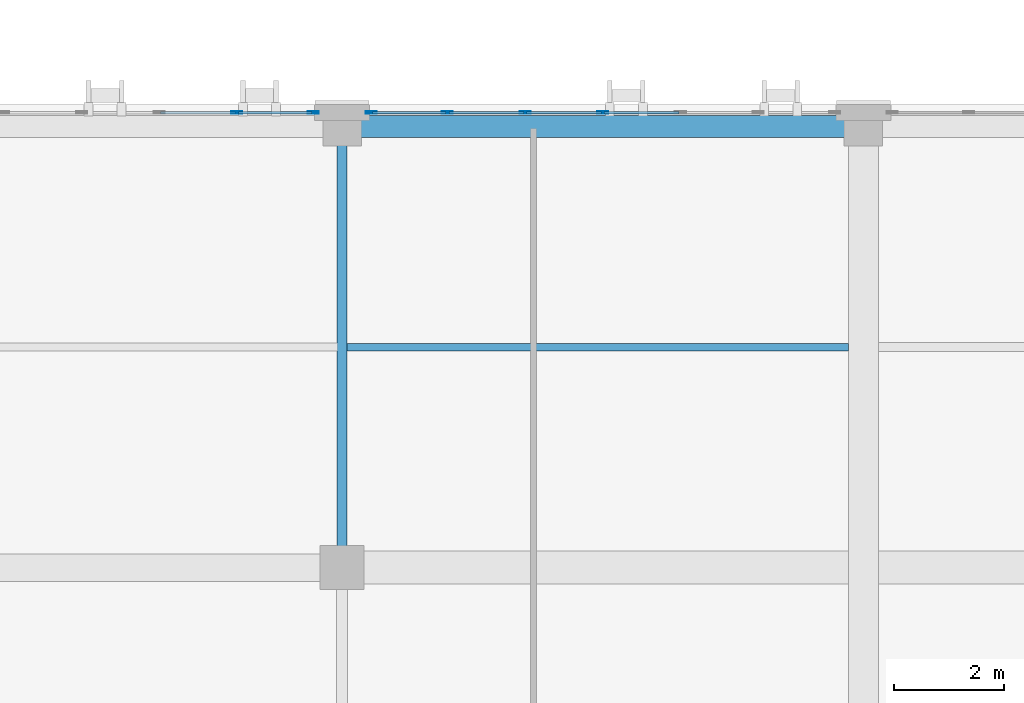
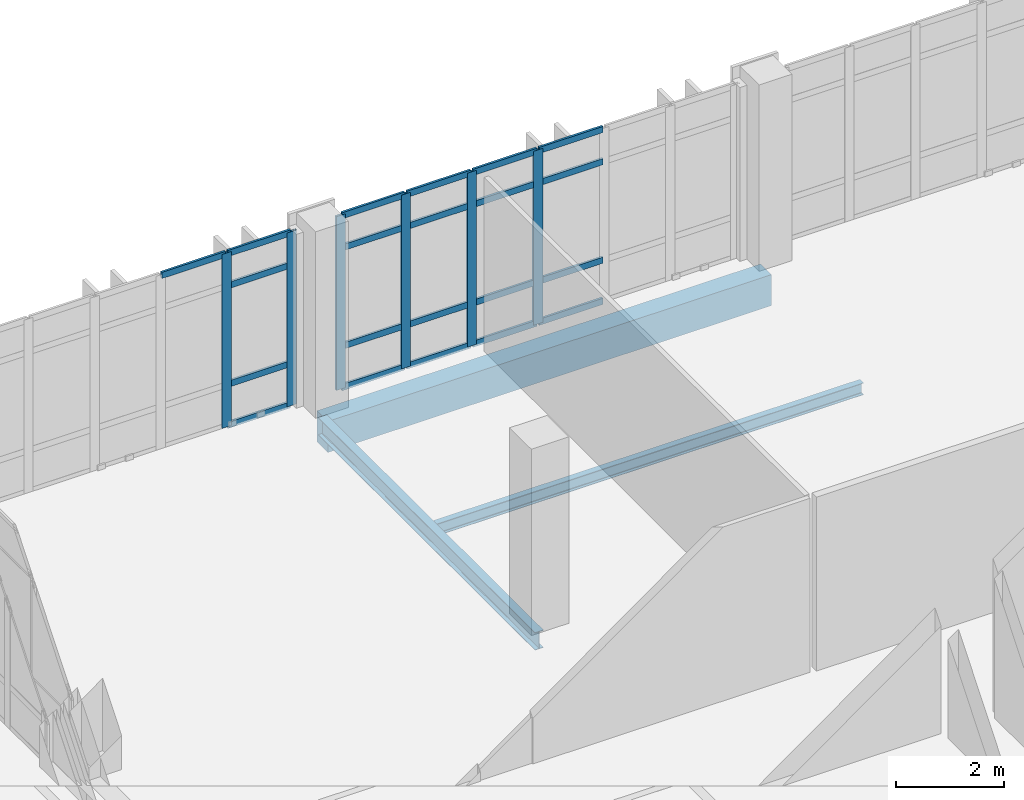
# One storey, part 16 of 165: 27 members, 3 beams, 2 elements without a shape of their own.
"""IFC4 building model written with IfcOpenShell, lengths in metres."""

from ifc_helpers import new_model, si_unit, direction, frame, origin, origin_2d, place, context, subcontext, project, spatial, rectangle, hollow_rectangle, i_section, extrude, material, layer, layer_set, material_profile, profile_set, type_object, element, aggregate, save


model = new_model("IFC4")

# Units and contexts
model_context = context("Model", 3, precision=1e-05, world=origin(), true_north=direction((0.0, 1.0)))
body_context = subcontext(model_context, "Body", "Model", "MODEL_VIEW")
ifc_project = project(units=[si_unit("LENGTHUNIT", "METRE"), si_unit("AREAUNIT", "SQUARE_METRE"), si_unit("VOLUMEUNIT", "CUBIC_METRE"), si_unit("PLANEANGLEUNIT", "RADIAN"), si_unit("MASSUNIT", "GRAM", prefix="KILO")], contexts=[model_context])

# Site, building, storey
site_placement = place(None, origin())
site = spatial("IfcSite", under=ifc_project, at=site_placement, CompositionType="ELEMENT")
building_placement = place(site_placement, origin())
building = spatial("IfcBuilding", under=site, at=building_placement, Name="Qalavern Law Courts", CompositionType="ELEMENT")
storey_placement = place(building_placement, frame((0.0, 0.0, 14.39990234375)))
storey = spatial("IfcBuildingStorey", under=building, at=storey_placement, Name="L03", CompositionType="ELEMENT", Elevation=14.39990234375)

# Curtain wall, members
ifc_material_1 = material(Name="Anodised aluminium and insulated glazing", Category="aluminium")
ifc_layer = layer(ifc_material_1, 0.18505859375)
ifc_layer_set = layer_set([ifc_layer], Name="Anodised aluminium and insulated glazing")
curtain_wall_type = type_object("IfcCurtainWallType", Name="ENV-CW-HALL", PredefinedType="USERDEFINED", material=ifc_layer_set)
curtain_wall_1_placement = place(storey_placement, origin())
curtain_wall_1 = element("IfcCurtainWall", 1, at=curtain_wall_1_placement, inside=storey, type_object=curtain_wall_type, Name="V2 unitised curtain wall L03 north 5", ObjectType="UNITISED CURTAIN WALL", PredefinedType="USERDEFINED")
ifc_material_2 = material(Name="Anodised aluminium", Category="aluminium")
ifc_material_profile_1 = material_profile(ifc_material_2, hollow_rectangle(XDim=0.048095703125, YDim=0.199951171875, WallThickness=0.00439453125, at=origin_2d()), Name="ALU MULLION 48x200")
ifc_profile_set_1 = profile_set([ifc_material_profile_1], Name="Anodised aluminium")
member_type_1 = type_object("IfcMemberType", Name="ENV-CWM-48x200", PredefinedType="MULLION", material=ifc_profile_set_1)
member_1_placement = place(storey_placement, frame((48.801513671875, 30.25244140625, 0.0), z_axis=(0.0, 0.0, 1.0), x_axis=(0.0, -1.0, 0.0)))
member_1 = element("IfcMember", 2, at=member_1_placement, type_object=member_type_1, Name="CW-02 mullion 4", PredefinedType="MULLION", context=body_context, shape_type="SweptSolid", body=[
    extrude(hollow_rectangle(XDim=0.048095703125, YDim=0.199951171875, WallThickness=0.00439453125, at=origin_2d()), origin(), (0.0, 0.0, 1.0), 3.920166015625),
])
member_2_placement = place(storey_placement, frame((47.392333984375, 30.25244140625, 0.0), z_axis=(0.0, 0.0, 1.0), x_axis=(0.0, -1.0, 0.0)))
member_2 = element("IfcMember", 3, at=member_2_placement, type_object=member_type_1, Name="CW-02 mullion 5", PredefinedType="MULLION", context=body_context, shape_type="SweptSolid", body=[
    extrude(hollow_rectangle(XDim=0.048095703125, YDim=0.199951171875, WallThickness=0.00439453125, at=origin_2d()), origin(), (0.0, 0.0, 1.0), 3.920166015625),
])
member_3_placement = place(storey_placement, frame((45.9833984375, 30.25244140625, 0.0), z_axis=(0.0, 0.0, 1.0), x_axis=(0.0, -1.0, 0.0)))
member_3 = element("IfcMember", 4, at=member_3_placement, type_object=member_type_1, Name="CW-02 mullion 6", PredefinedType="MULLION", context=body_context, shape_type="SweptSolid", body=[
    extrude(hollow_rectangle(XDim=0.048095703125, YDim=0.199951171875, WallThickness=0.00439453125, at=origin_2d()), origin(), (0.0, 0.0, 1.0), 3.920166015625),
])
member_4_placement = place(storey_placement, frame((44.598388671875, 30.25244140625, 0.0), z_axis=(0.0, 0.0, 1.0), x_axis=(0.0, -1.0, 0.0)))
member_4 = element("IfcMember", 5, at=member_4_placement, type_object=member_type_1, Name="CW-02 mullion 7", PredefinedType="MULLION", context=body_context, shape_type="SweptSolid", body=[
    extrude(hollow_rectangle(XDim=0.048095703125, YDim=0.199951171875, WallThickness=0.00439453125, at=origin_2d()), origin(), (0.0, 0.0, 1.0), 3.920166015625),
])

curtain_wall_2_placement = place(storey_placement, origin())
curtain_wall_2 = element("IfcCurtainWall", 6, at=curtain_wall_2_placement, inside=storey, type_object=curtain_wall_type, Name="V2 unitised curtain wall L03 north 6", ObjectType="UNITISED CURTAIN WALL", PredefinedType="USERDEFINED")
member_5_placement = place(storey_placement, frame((43.55029296875, 30.25244140625, 0.0), z_axis=(0.0, 0.0, 1.0), x_axis=(0.0, -1.0, 0.0)))
member_5 = element("IfcMember", 7, at=member_5_placement, type_object=member_type_1, Name="CW-02 mullion 1", PredefinedType="MULLION", context=body_context, shape_type="SweptSolid", body=[
    extrude(hollow_rectangle(XDim=0.048095703125, YDim=0.199951171875, WallThickness=0.00439453125, at=origin_2d()), origin(), (0.0, 0.0, 1.0), 3.920166015625),
])
member_6_placement = place(storey_placement, frame((42.165283203125, 30.25244140625, 0.0), z_axis=(0.0, 0.0, 1.0), x_axis=(0.0, -1.0, 0.0)))
member_6 = element("IfcMember", 8, at=member_6_placement, type_object=member_type_1, Name="CW-02 mullion 2", PredefinedType="MULLION", context=body_context, shape_type="SweptSolid", body=[
    extrude(hollow_rectangle(XDim=0.048095703125, YDim=0.199951171875, WallThickness=0.00439453125, at=origin_2d()), origin(), (0.0, 0.0, 1.0), 3.920166015625),
])

# Member
ifc_material_profile_2 = material_profile(ifc_material_2, hollow_rectangle(XDim=0.048095703125, YDim=0.139892578125, WallThickness=0.00390625, at=origin_2d()), Name="ALU TRANSOM 48x140")
ifc_profile_set_2 = profile_set([ifc_material_profile_2], Name="Anodised aluminium")
member_type_2 = type_object("IfcMemberType", Name="ENV-CWT-48x140", PredefinedType="USERDEFINED", material=ifc_profile_set_2)
member_7_placement = place(storey_placement, frame((50.1865234375, 30.25244140625, 0.024169921875), z_axis=(-1.0, 0.0, 0.0), x_axis=(0.0, -1.0, 0.0)))
member_7 = element("IfcMember", 9, at=member_7_placement, type_object=member_type_2, Name="CW-02 transom 3.1", ObjectType="TRANSOM", PredefinedType="USERDEFINED", context=body_context, shape_type="SweptSolid", body=[
    extrude(hollow_rectangle(XDim=0.048095703125, YDim=0.139892578125, WallThickness=0.00390625, at=origin_2d()), origin(), (0.0, 0.0, 1.0), 1.361083984375),
])

member_8_placement = place(storey_placement, frame((50.1865234375, 30.25244140625, 0.9501953125), z_axis=(-1.0, 0.0, 0.0), x_axis=(0.0, -1.0, 0.0)))
member_8 = element("IfcMember", 10, at=member_8_placement, type_object=member_type_2, Name="CW-02 transom 3.2", ObjectType="TRANSOM", PredefinedType="USERDEFINED", context=body_context, shape_type="SweptSolid", body=[
    extrude(hollow_rectangle(XDim=0.048095703125, YDim=0.139892578125, WallThickness=0.00390625, at=origin_2d()), origin(), (0.0, 0.0, 1.0), 1.361083984375),
])

member_9_placement = place(storey_placement, frame((50.1865234375, 30.25244140625, 3.170166015625), z_axis=(-1.0, 0.0, 0.0), x_axis=(0.0, -1.0, 0.0)))
member_9 = element("IfcMember", 11, at=member_9_placement, type_object=member_type_2, Name="CW-02 transom 3.3", ObjectType="TRANSOM", PredefinedType="USERDEFINED", context=body_context, shape_type="SweptSolid", body=[
    extrude(hollow_rectangle(XDim=0.048095703125, YDim=0.139892578125, WallThickness=0.00390625, at=origin_2d()), origin(), (0.0, 0.0, 1.0), 1.361083984375),
])

member_10_placement = place(storey_placement, frame((50.1865234375, 30.25244140625, 3.89599609375), z_axis=(-1.0, 0.0, 0.0), x_axis=(0.0, -1.0, 0.0)))
member_10 = element("IfcMember", 12, at=member_10_placement, type_object=member_type_2, Name="CW-02 transom 3.4", ObjectType="TRANSOM", PredefinedType="USERDEFINED", context=body_context, shape_type="SweptSolid", body=[
    extrude(hollow_rectangle(XDim=0.048095703125, YDim=0.139892578125, WallThickness=0.00390625, at=origin_2d()), origin(), (0.0, 0.0, 1.0), 1.361083984375),
])

member_11_placement = place(storey_placement, frame((48.77734375, 30.25244140625, 0.024169921875), z_axis=(-1.0, 0.0, 0.0), x_axis=(0.0, -1.0, 0.0)))
member_11 = element("IfcMember", 13, at=member_11_placement, type_object=member_type_2, Name="CW-02 transom 4.1", ObjectType="TRANSOM", PredefinedType="USERDEFINED", context=body_context, shape_type="SweptSolid", body=[
    extrude(hollow_rectangle(XDim=0.048095703125, YDim=0.139892578125, WallThickness=0.00390625, at=origin_2d()), origin(), (0.0, 0.0, 1.0), 1.36083984375),
])

member_12_placement = place(storey_placement, frame((48.77734375, 30.25244140625, 0.9501953125), z_axis=(-1.0, 0.0, 0.0), x_axis=(0.0, -1.0, 0.0)))
member_12 = element("IfcMember", 14, at=member_12_placement, type_object=member_type_2, Name="CW-02 transom 4.2", ObjectType="TRANSOM", PredefinedType="USERDEFINED", context=body_context, shape_type="SweptSolid", body=[
    extrude(hollow_rectangle(XDim=0.048095703125, YDim=0.139892578125, WallThickness=0.00390625, at=origin_2d()), origin(), (0.0, 0.0, 1.0), 1.36083984375),
])

member_13_placement = place(storey_placement, frame((48.77734375, 30.25244140625, 3.170166015625), z_axis=(-1.0, 0.0, 0.0), x_axis=(0.0, -1.0, 0.0)))
member_13 = element("IfcMember", 15, at=member_13_placement, type_object=member_type_2, Name="CW-02 transom 4.3", ObjectType="TRANSOM", PredefinedType="USERDEFINED", context=body_context, shape_type="SweptSolid", body=[
    extrude(hollow_rectangle(XDim=0.048095703125, YDim=0.139892578125, WallThickness=0.00390625, at=origin_2d()), origin(), (0.0, 0.0, 1.0), 1.36083984375),
])

member_14_placement = place(storey_placement, frame((48.77734375, 30.25244140625, 3.89599609375), z_axis=(-1.0, 0.0, 0.0), x_axis=(0.0, -1.0, 0.0)))
member_14 = element("IfcMember", 16, at=member_14_placement, type_object=member_type_2, Name="CW-02 transom 4.4", ObjectType="TRANSOM", PredefinedType="USERDEFINED", context=body_context, shape_type="SweptSolid", body=[
    extrude(hollow_rectangle(XDim=0.048095703125, YDim=0.139892578125, WallThickness=0.00390625, at=origin_2d()), origin(), (0.0, 0.0, 1.0), 1.36083984375),
])

member_15_placement = place(storey_placement, frame((47.368408203125, 30.25244140625, 0.024169921875), z_axis=(-1.0, 0.0, 0.0), x_axis=(0.0, -1.0, 0.0)))
member_15 = element("IfcMember", 17, at=member_15_placement, type_object=member_type_2, Name="CW-02 transom 5.1", ObjectType="TRANSOM", PredefinedType="USERDEFINED", context=body_context, shape_type="SweptSolid", body=[
    extrude(hollow_rectangle(XDim=0.048095703125, YDim=0.139892578125, WallThickness=0.00390625, at=origin_2d()), origin(), (0.0, 0.0, 1.0), 1.361083984375),
])

member_16_placement = place(storey_placement, frame((47.368408203125, 30.25244140625, 0.9501953125), z_axis=(-1.0, 0.0, 0.0), x_axis=(0.0, -1.0, 0.0)))
member_16 = element("IfcMember", 18, at=member_16_placement, type_object=member_type_2, Name="CW-02 transom 5.2", ObjectType="TRANSOM", PredefinedType="USERDEFINED", context=body_context, shape_type="SweptSolid", body=[
    extrude(hollow_rectangle(XDim=0.048095703125, YDim=0.139892578125, WallThickness=0.00390625, at=origin_2d()), origin(), (0.0, 0.0, 1.0), 1.361083984375),
])

member_17_placement = place(storey_placement, frame((47.368408203125, 30.25244140625, 3.170166015625), z_axis=(-1.0, 0.0, 0.0), x_axis=(0.0, -1.0, 0.0)))
member_17 = element("IfcMember", 19, at=member_17_placement, type_object=member_type_2, Name="CW-02 transom 5.3", ObjectType="TRANSOM", PredefinedType="USERDEFINED", context=body_context, shape_type="SweptSolid", body=[
    extrude(hollow_rectangle(XDim=0.048095703125, YDim=0.139892578125, WallThickness=0.00390625, at=origin_2d()), origin(), (0.0, 0.0, 1.0), 1.361083984375),
])

member_18_placement = place(storey_placement, frame((47.368408203125, 30.25244140625, 3.89599609375), z_axis=(-1.0, 0.0, 0.0), x_axis=(0.0, -1.0, 0.0)))
member_18 = element("IfcMember", 20, at=member_18_placement, type_object=member_type_2, Name="CW-02 transom 5.4", ObjectType="TRANSOM", PredefinedType="USERDEFINED", context=body_context, shape_type="SweptSolid", body=[
    extrude(hollow_rectangle(XDim=0.048095703125, YDim=0.139892578125, WallThickness=0.00390625, at=origin_2d()), origin(), (0.0, 0.0, 1.0), 1.361083984375),
])

member_19_placement = place(storey_placement, frame((45.959228515625, 30.25244140625, 0.024169921875), z_axis=(-1.0, 0.0, 0.0), x_axis=(0.0, -1.0, 0.0)))
member_19 = element("IfcMember", 21, at=member_19_placement, type_object=member_type_2, Name="CW-02 transom 6.1", ObjectType="TRANSOM", PredefinedType="USERDEFINED", context=body_context, shape_type="SweptSolid", body=[
    extrude(hollow_rectangle(XDim=0.048095703125, YDim=0.139892578125, WallThickness=0.00390625, at=origin_2d()), origin(), (0.0, 0.0, 1.0), 1.3369140625),
])

member_20_placement = place(storey_placement, frame((45.959228515625, 30.25244140625, 0.9501953125), z_axis=(-1.0, 0.0, 0.0), x_axis=(0.0, -1.0, 0.0)))
member_20 = element("IfcMember", 22, at=member_20_placement, type_object=member_type_2, Name="CW-02 transom 6.2", ObjectType="TRANSOM", PredefinedType="USERDEFINED", context=body_context, shape_type="SweptSolid", body=[
    extrude(hollow_rectangle(XDim=0.048095703125, YDim=0.139892578125, WallThickness=0.00390625, at=origin_2d()), origin(), (0.0, 0.0, 1.0), 1.3369140625),
])

member_21_placement = place(storey_placement, frame((45.959228515625, 30.25244140625, 3.170166015625), z_axis=(-1.0, 0.0, 0.0), x_axis=(0.0, -1.0, 0.0)))
member_21 = element("IfcMember", 23, at=member_21_placement, type_object=member_type_2, Name="CW-02 transom 6.3", ObjectType="TRANSOM", PredefinedType="USERDEFINED", context=body_context, shape_type="SweptSolid", body=[
    extrude(hollow_rectangle(XDim=0.048095703125, YDim=0.139892578125, WallThickness=0.00390625, at=origin_2d()), origin(), (0.0, 0.0, 1.0), 1.3369140625),
])

member_22_placement = place(storey_placement, frame((45.959228515625, 30.25244140625, 3.89599609375), z_axis=(-1.0, 0.0, 0.0), x_axis=(0.0, -1.0, 0.0)))
member_22 = element("IfcMember", 24, at=member_22_placement, type_object=member_type_2, Name="CW-02 transom 6.4", ObjectType="TRANSOM", PredefinedType="USERDEFINED", context=body_context, shape_type="SweptSolid", body=[
    extrude(hollow_rectangle(XDim=0.048095703125, YDim=0.139892578125, WallThickness=0.00390625, at=origin_2d()), origin(), (0.0, 0.0, 1.0), 1.3369140625),
])

aggregate(curtain_wall_1, [member_1, member_2, member_3, member_4, member_7, member_8, member_9, member_10, member_11, member_12, member_13, member_14, member_15, member_16, member_17, member_18, member_19, member_20, member_21, member_22])

member_23_placement = place(storey_placement, frame((43.5263671875, 30.25244140625, 0.024169921875), z_axis=(-1.0, 0.0, 0.0), x_axis=(0.0, -1.0, 0.0)))
member_23 = element("IfcMember", 25, at=member_23_placement, type_object=member_type_2, Name="CW-02 transom 1.1", ObjectType="TRANSOM", PredefinedType="USERDEFINED", context=body_context, shape_type="SweptSolid", body=[
    extrude(hollow_rectangle(XDim=0.048095703125, YDim=0.139892578125, WallThickness=0.00390625, at=origin_2d()), origin(), (0.0, 0.0, 1.0), 1.337158203125),
])

member_24_placement = place(storey_placement, frame((43.5263671875, 30.25244140625, 0.9501953125), z_axis=(-1.0, 0.0, 0.0), x_axis=(0.0, -1.0, 0.0)))
member_24 = element("IfcMember", 26, at=member_24_placement, type_object=member_type_2, Name="CW-02 transom 1.2", ObjectType="TRANSOM", PredefinedType="USERDEFINED", context=body_context, shape_type="SweptSolid", body=[
    extrude(hollow_rectangle(XDim=0.048095703125, YDim=0.139892578125, WallThickness=0.00390625, at=origin_2d()), origin(), (0.0, 0.0, 1.0), 1.337158203125),
])

member_25_placement = place(storey_placement, frame((43.5263671875, 30.25244140625, 3.170166015625), z_axis=(-1.0, 0.0, 0.0), x_axis=(0.0, -1.0, 0.0)))
member_25 = element("IfcMember", 27, at=member_25_placement, type_object=member_type_2, Name="CW-02 transom 1.3", ObjectType="TRANSOM", PredefinedType="USERDEFINED", context=body_context, shape_type="SweptSolid", body=[
    extrude(hollow_rectangle(XDim=0.048095703125, YDim=0.139892578125, WallThickness=0.00390625, at=origin_2d()), origin(), (0.0, 0.0, 1.0), 1.337158203125),
])

member_26_placement = place(storey_placement, frame((43.5263671875, 30.25244140625, 3.89599609375), z_axis=(-1.0, 0.0, 0.0), x_axis=(0.0, -1.0, 0.0)))
member_26 = element("IfcMember", 28, at=member_26_placement, type_object=member_type_2, Name="CW-02 transom 1.4", ObjectType="TRANSOM", PredefinedType="USERDEFINED", context=body_context, shape_type="SweptSolid", body=[
    extrude(hollow_rectangle(XDim=0.048095703125, YDim=0.139892578125, WallThickness=0.00390625, at=origin_2d()), origin(), (0.0, 0.0, 1.0), 1.337158203125),
])

member_27_placement = place(storey_placement, frame((42.141357421875, 30.25244140625, 3.89599609375), z_axis=(-1.0, 0.0, 0.0), x_axis=(0.0, -1.0, 0.0)))
member_27 = element("IfcMember", 29, at=member_27_placement, type_object=member_type_2, Name="CW-02 transom 2.4", ObjectType="TRANSOM", PredefinedType="USERDEFINED", context=body_context, shape_type="SweptSolid", body=[
    extrude(hollow_rectangle(XDim=0.048095703125, YDim=0.139892578125, WallThickness=0.00390625, at=origin_2d()), origin(), (0.0, 0.0, 1.0), 1.361083984375),
])

aggregate(curtain_wall_2, [member_5, member_6, member_23, member_24, member_25, member_26, member_27])

# Beams
ifc_material_3 = material(Name="Steel S355", Category="steel")
ifc_material_profile_3 = material_profile(ifc_material_3, i_section(OverallWidth=0.179931640625, OverallDepth=0.39990234375, WebThickness=0.008544921875, FlangeThickness=0.013427734375, FilletRadius=0.02099609375, at=origin_2d()), Name="IPE 400")
ifc_profile_set_3 = profile_set([ifc_material_profile_3], Name="Steel S355")
beam_type_1 = type_object("IfcBeamType", Name="STR-BM-IPE400", PredefinedType="BEAM", material=ifc_profile_set_3)
beam_1_placement = place(storey_placement, frame((44.07421875, 22.0, -0.48486328125), z_axis=(0.0, 1.0, 0.0), x_axis=(-1.0, 0.0, 0.0)))
element("IfcBeam", 30, at=beam_1_placement, inside=storey, type_object=beam_type_1, Name="V2 Y-beam 2-3 L03", PredefinedType="BEAM", context=body_context, shape_type="SweptSolid", body=[
    extrude(i_section(OverallWidth=0.179931640625, OverallDepth=0.39990234375, WebThickness=0.008544921875, FlangeThickness=0.013427734375, FilletRadius=0.02099609375, at=origin_2d()), origin(), (0.0, 0.0, 1.0), 8.0),
])
ifc_material_profile_4 = material_profile(ifc_material_3, i_section(OverallWidth=0.135009765625, OverallDepth=0.27001953125, WebThickness=0.006591796875, FlangeThickness=0.01025390625, FilletRadius=0.014892578125, at=origin_2d()), Name="IPE 270")
ifc_profile_set_4 = profile_set([ifc_material_profile_4], Name="Steel S355")
beam_type_2 = type_object("IfcBeamType", Name="STR-JST-IPE270", PredefinedType="JOIST", material=ifc_profile_set_4)
beam_2_placement = place(storey_placement, frame((44.162353515625, 26.0, -0.419921875), z_axis=(1.0, 0.0, 0.0), x_axis=(0.0, 1.0, 0.0)))
element("IfcBeam", 31, at=beam_2_placement, inside=storey, type_object=beam_type_2, Name="V2 secondary joist 2.3.1 L03", PredefinedType="JOIST", context=body_context, shape_type="SweptSolid", body=[
    extrude(i_section(OverallWidth=0.135009765625, OverallDepth=0.27001953125, WebThickness=0.006591796875, FlangeThickness=0.01025390625, FilletRadius=0.014892578125, at=origin_2d()), origin(), (0.0, 0.0, 1.0), 9.09326171875),
])
ifc_material_4 = material(Name="Concrete C40/50", Category="concrete")
ifc_material_profile_5 = material_profile(ifc_material_4, rectangle(XDim=0.39990234375, YDim=0.699951171875, at=origin_2d()), Name="RC 400x700")
ifc_profile_set_5 = profile_set([ifc_material_profile_5], Name="Concrete C40/50")
beam_type_3 = type_object("IfcBeamType", Name="STR-SP-RC400x700", PredefinedType="SPANDREL", material=ifc_profile_set_5)
beam_3_placement = place(storey_placement, frame((44.07421875, 30.0, -0.635009765625), z_axis=(1.0, 0.0, 0.0), x_axis=(0.0, 1.0, 0.0)))
element("IfcBeam", 32, at=beam_3_placement, inside=storey, type_object=beam_type_3, Name="V2 X-beam 4-2 L03", PredefinedType="SPANDREL", context=body_context, shape_type="SweptSolid", body=[
    extrude(rectangle(XDim=0.39990234375, YDim=0.699951171875, at=origin_2d()), origin(), (0.0, 0.0, 1.0), 9.454345703125),
])

save(model, "model.ifc")
